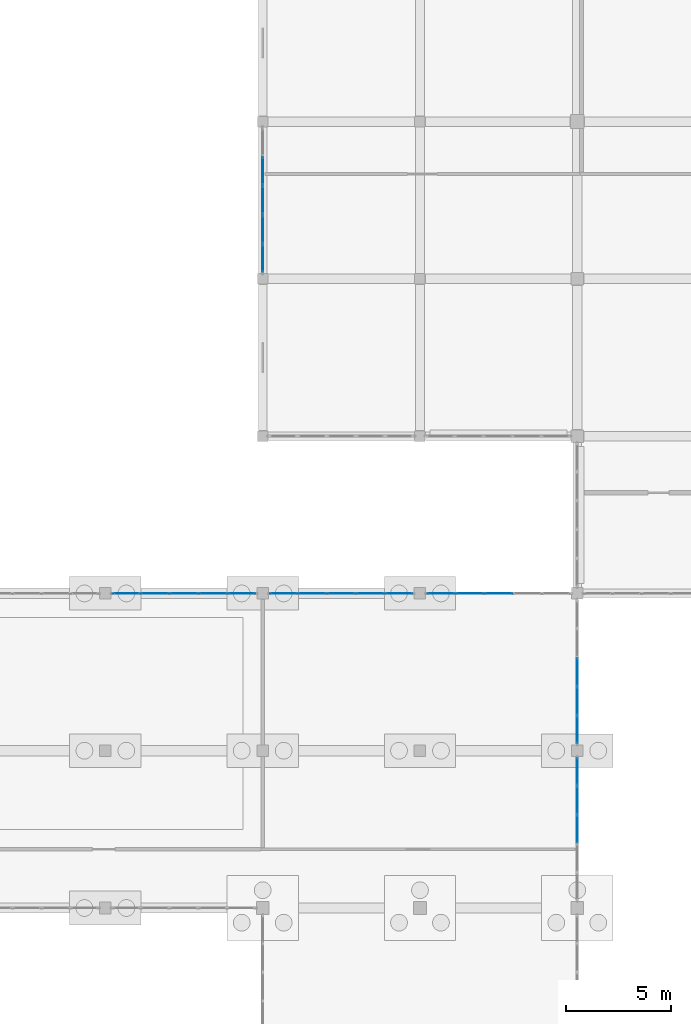
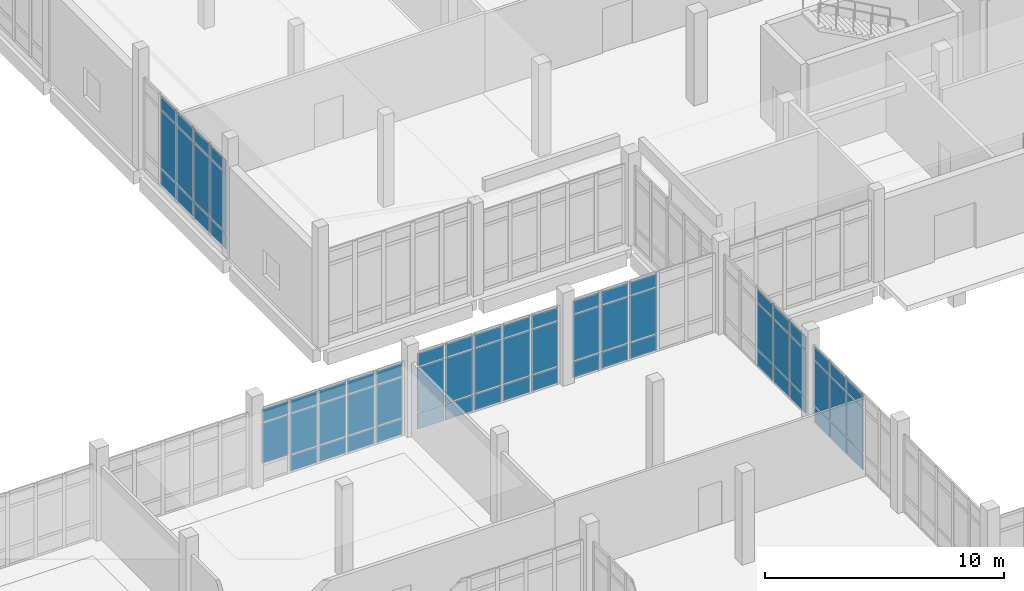
# One storey, part 134 of 173: 68 plates, 6 elements without a shape of their own.
"""IFC4 building model written with IfcOpenShell, lengths in metres."""

import ifcopenshell
import ifcopenshell.guid

model = None  # the IFC model being written
_history = None  # IfcOwnerHistory: only IFC2X3 demands one
_inside = {}  # id of a spatial element -> (the spatial element, [elements in it])
_under = {}  # id of a project, library or spatial element -> (it, [spatial elements below it])
_declared = {}  # id of a project -> (the project, [libraries it declares])
_typed = {}  # id of a type object -> (the type object, [elements of that type])
_made_of = {}  # id of a material, layer set ... -> (it, [elements and type objects made of it])


def new_model(schema):
    """Start an empty IFC model of exactly this schema.

    Asked for "IFC4X3", IfcOpenShell would pick the latest addendum, in which some entities
    have other attributes; the version numbers below select the first issue.
    IFC2X3 requires an IfcOwnerHistory on every rooted entity: one is made here for all.
    """
    global model, _history
    if schema == "IFC4X3":
        model = ifcopenshell.file(schema_version=(4, 3, 0, 0))
    else:
        model = ifcopenshell.file(schema=schema)
    _inside.clear()
    _under.clear()
    _declared.clear()
    _typed.clear()
    _made_of.clear()
    _history = None
    if model.schema == "IFC2X3":
        org = make("IfcOrganization", Name="unknown")
        user = make(
            "IfcPersonAndOrganization",
            ThePerson=make("IfcPerson", FamilyName="unknown"),
            TheOrganization=org,
        )
        app = make(
            "IfcApplication",
            ApplicationDeveloper=org,
            Version="unknown",
            ApplicationFullName="unknown",
            ApplicationIdentifier="unknown",
        )
        _history = make(
            "IfcOwnerHistory",
            OwningUser=user,
            OwningApplication=app,
            ChangeAction="ADDED",
            CreationDate=0,
        )
    return model


def make(cls, **values):
    """One entity of the class cls with the attributes given. An attribute that is None is left unset."""
    return model.create_entity(
        cls, **{name: value for name, value in values.items() if value is not None}
    )


def rooted(cls, **values):
    """An entity with a GlobalId (a new one), such as an element, a storey or a relation."""
    return make(cls, GlobalId=ifcopenshell.guid.new(), OwnerHistory=_history, **values)


def si_unit(unit_type, name, prefix=None):
    """IfcSIUnit, for example si_unit("LENGTHUNIT", "METRE", prefix="MILLI")."""
    return make("IfcSIUnit", UnitType=unit_type, Prefix=prefix, Name=name)


def assignment(units):
    """IfcUnitAssignment: the units of a project."""
    return None if units is None else make("IfcUnitAssignment", Units=units)


def point(xyz):
    """IfcCartesianPoint."""
    return None if xyz is None else make("IfcCartesianPoint", Coordinates=xyz)


def direction(xyz):
    """IfcDirection."""
    return None if xyz is None else make("IfcDirection", DirectionRatios=xyz)


def frame(location, z_axis=None, x_axis=None):
    """IfcAxis2Placement3D, a coordinate frame: its origin and axes. An axis left out is left unset."""
    return make(
        "IfcAxis2Placement3D",
        Location=point(location),
        Axis=direction(z_axis),
        RefDirection=direction(x_axis),
    )


def frame_2d(location, x_axis=None):
    """IfcAxis2Placement2D, a coordinate frame in the plane: its origin and x axis."""
    return make(
        "IfcAxis2Placement2D", Location=point(location), RefDirection=direction(x_axis)
    )


def origin():
    """The frame at (0, 0, 0) with its axes left unset."""
    return frame((0.0, 0.0, 0.0))


def origin_2d():
    """The frame at (0, 0) in the plane with its x axis left unset."""
    return frame_2d((0.0, 0.0))


def place(relative_to, where):
    """IfcLocalPlacement: puts the frame where relative to a parent placement (None: the world)."""
    return make(
        "IfcLocalPlacement", PlacementRelTo=relative_to, RelativePlacement=where
    )


def context(
    kind, dimensions, precision=None, world=None, true_north=None, identifier=None
):
    """IfcGeometricRepresentationContext, for example the 3D "Model" context."""
    return make(
        "IfcGeometricRepresentationContext",
        ContextIdentifier=identifier,
        ContextType=kind,
        CoordinateSpaceDimension=dimensions,
        Precision=precision,
        WorldCoordinateSystem=world,
        TrueNorth=true_north,
    )


def subcontext(parent, identifier, kind, view, scale=None):
    """IfcGeometricRepresentationSubContext, for example "Body" below "Model"."""
    return make(
        "IfcGeometricRepresentationSubContext",
        ContextIdentifier=identifier,
        ContextType=kind,
        ParentContext=parent,
        TargetScale=scale,
        TargetView=view,
    )


def project(units=None, contexts=None):
    """IfcProject with its units and contexts."""
    return rooted(
        "IfcProject",
        Name="project",
        RepresentationContexts=contexts,
        UnitsInContext=assignment(units),
    )


def spatial(cls, under=None, at=None, **own):
    """A site, building, storey or space (cls), placed at a placement, below another one or the project."""
    s = rooted(cls, ObjectPlacement=at, **own)
    if under is not None:
        _under.setdefault(under.id(), (under, []))[1].append(s)
    return s


def profile(cls, at=None, kind="AREA", **sizes):
    """A parametric profile (cls). Its sizes go by their IFC names, for example OverallWidth=200.0."""
    return make(cls, ProfileType=kind, Position=at, **sizes)


def rectangle(**sizes):
    """IfcRectangleProfileDef."""
    return profile("IfcRectangleProfileDef", **sizes)


def extrude(swept, where, along, depth):
    """IfcExtrudedAreaSolid: the profile swept, set in the frame where, extruded along a direction by depth."""
    return make(
        "IfcExtrudedAreaSolid",
        SweptArea=swept,
        Position=where,
        ExtrudedDirection=direction(along),
        Depth=depth,
    )


def shape(context_of_items, identifier, shape_type, items):
    """IfcShapeRepresentation: the items that make up one representation, for example the "Body"."""
    return make(
        "IfcShapeRepresentation",
        ContextOfItems=context_of_items,
        RepresentationIdentifier=identifier,
        RepresentationType=shape_type,
        Items=items,
    )


def material(Name=None, Category=None):
    """IfcMaterial."""
    return make("IfcMaterial", Name=Name, Category=Category)


def layer(
    of_material, thickness, ventilated=None, Name=None, Category=None, Priority=None
):
    """IfcMaterialLayer: one layer of a wall or slab, of a material (None: an air gap)."""
    return make(
        "IfcMaterialLayer",
        Material=of_material,
        LayerThickness=thickness,
        IsVentilated=ventilated,
        Name=Name,
        Category=Category,
        Priority=Priority,
    )


def layer_set(layers, Name=None):
    """IfcMaterialLayerSet."""
    return make("IfcMaterialLayerSet", MaterialLayers=layers, LayerSetName=Name)


def made_of(thing, what):
    """Note that an element or type object is made of a material, layer set ...; save() writes the relation."""
    if what is not None:
        _made_of.setdefault(what.id(), (what, []))[1].append(thing)
    return thing


def type_object(cls, material=None, **own):
    """A type object (cls), such as IfcWallType, which elements share."""
    return made_of(rooted(cls, **own), material)


def element(
    cls,
    number,
    at=None,
    inside=None,
    cuts=None,
    type_object=None,
    material=None,
    context=None,
    identifier="Body",
    shape_type=None,
    held_by="IfcProductDefinitionShape",
    body=None,
    shapes=None,
    **own,
):
    """One element of the class cls, such as IfcWall. Its Tag is "e" and its number.

    at: its placement. inside: the storey or other place that contains it. cuts: it is an
    opening in that element (IfcRelVoidsElement). A single representation is given by context,
    identifier, shape_type and body (its items); several are given by shapes. held_by: the class
    of the entity that holds the representations. save() writes the other relations.
    """
    e = rooted(cls, Tag="e%d" % number, ObjectPlacement=at, **own)
    if body is not None:
        shapes = [shape(context, identifier, shape_type, body)]
    if shapes is not None:
        e.Representation = make(held_by, Representations=shapes)
    if inside is not None:
        _inside.setdefault(inside.id(), (inside, []))[1].append(e)
    if cuts is not None:
        rooted(
            "IfcRelVoidsElement", RelatingBuildingElement=cuts, RelatedOpeningElement=e
        )
    if type_object is not None:
        _typed.setdefault(type_object.id(), (type_object, []))[1].append(e)
    return made_of(e, material)


def aggregate(whole, parts):
    """IfcRelAggregates: a whole, such as a stair, and the parts it consists of."""
    return rooted("IfcRelAggregates", RelatingObject=whole, RelatedObjects=parts)


def save(model, path):
    """Write the relations noted so far, then the file.

    IfcRelAggregates (storeys below a building ...), IfcRelContainedInSpatialStructure (elements
    in a storey), IfcRelDefinesByType, IfcRelAssociatesMaterial and IfcRelDeclares: one each for
    every whole, place, type object, material and project.
    """
    for whole, parts in _under.values():
        aggregate(whole, parts)
    for where, things in _inside.values():
        rooted(
            "IfcRelContainedInSpatialStructure",
            RelatedElements=things,
            RelatingStructure=where,
        )
    for kind, things in _typed.values():
        rooted("IfcRelDefinesByType", RelatedObjects=things, RelatingType=kind)
    for what, things in _made_of.values():
        rooted("IfcRelAssociatesMaterial", RelatedObjects=things, RelatingMaterial=what)
    for by, libraries in _declared.values():
        rooted("IfcRelDeclares", RelatingContext=by, RelatedDefinitions=libraries)
    model.write(path)


model = new_model("IFC4")

# Units and contexts
model_context = context("Model", 3, precision=1e-05, world=origin(), true_north=direction((0.0, 1.0)))
body_context = subcontext(model_context, "Body", "Model", "MODEL_VIEW")
ifc_project = project(units=[si_unit("LENGTHUNIT", "METRE"), si_unit("AREAUNIT", "SQUARE_METRE"), si_unit("VOLUMEUNIT", "CUBIC_METRE"), si_unit("PLANEANGLEUNIT", "RADIAN"), si_unit("MASSUNIT", "GRAM", prefix="KILO")], contexts=[model_context])

# Site, building, storey
site_placement = place(None, origin())
site = spatial("IfcSite", under=ifc_project, at=site_placement, CompositionType="ELEMENT")
building_placement = place(site_placement, origin())
building = spatial("IfcBuilding", under=site, at=building_placement, Name="Mawjan Specialist Oncology Clinic", CompositionType="ELEMENT")
storey_placement = place(building_placement, origin())
storey = spatial("IfcBuildingStorey", under=building, at=storey_placement, Name="L00", CompositionType="ELEMENT", Elevation=0.0)

# Curtain wall, plates
ifc_material_1 = material(Name="Unitised spectrally selective aluminium curtain wall", Category="aluminium")
ifc_layer_1 = layer(ifc_material_1, 0.179931640625, Name="Unitised spectrally selective aluminium curtain wall", Category="aluminium")
ifc_layer_set_1 = layer_set([ifc_layer_1], Name="Unitised spectrally selective aluminium curtain wall")
curtain_wall_type_1 = type_object("IfcCurtainWallType", Name="CW-07", PredefinedType="NOTDEFINED", material=ifc_layer_set_1)
curtain_wall_1_placement = place(storey_placement, origin())
curtain_wall_1 = element("IfcCurtainWall", 1, at=curtain_wall_1_placement, inside=storey, type_object=curtain_wall_type_1, Name="L00 Unitised Curtain Wall CW-L00-012", PredefinedType="NOTDEFINED")
ifc_material_2 = material(Name="Spectrally selective double low-E glazing", Category="glass")
ifc_layer_2 = layer(ifc_material_2, 0.035888671875, Name="Spectrally selective double low-E glazing", Category="glass")
ifc_layer_set_2 = layer_set([ifc_layer_2], Name="Spectrally selective double low-E glazing")
plate_type = type_object("IfcPlateType", Name="CW-P36", PredefinedType="CURTAIN_PANEL", material=ifc_layer_set_2)
plate_1_placement = place(storey_placement, frame((23.502197265625, 75.800048828125, 0.9326171875), z_axis=(0.0, 0.0, 1.0), x_axis=(1.0, 0.0, 0.0)))
plate_1 = element("IfcPlate", 2, at=plate_1_placement, type_object=plate_type, Name="CW-07 panel 1.2", PredefinedType="CURTAIN_PANEL", context=body_context, shape_type="SweptSolid", body=[
    extrude(rectangle(XDim=1.284423828125, YDim=0.035888671875, at=origin_2d()), origin(), (0.0, 0.0, 1.0), 2.050048828125),
])
plate_2_placement = place(storey_placement, frame((23.502197265625, 75.800048828125, 3.04736328125), z_axis=(0.0, 0.0, 1.0), x_axis=(1.0, 0.0, 0.0)))
plate_2 = element("IfcPlate", 3, at=plate_2_placement, type_object=plate_type, Name="CW-07 panel 1.3", PredefinedType="CURTAIN_PANEL", context=body_context, shape_type="SweptSolid", body=[
    extrude(rectangle(XDim=1.284423828125, YDim=0.035888671875, at=origin_2d()), origin(), (0.0, 0.0, 1.0), 0.652587890625),
])
plate_3_placement = place(storey_placement, frame((24.867919921875, 75.800048828125, 0.06494140625), z_axis=(0.0, 0.0, 1.0), x_axis=(1.0, 0.0, 0.0)))
plate_3 = element("IfcPlate", 4, at=plate_3_placement, type_object=plate_type, Name="CW-07 panel 2.1", PredefinedType="CURTAIN_PANEL", context=body_context, shape_type="SweptSolid", body=[
    extrude(rectangle(XDim=1.31689453125, YDim=0.035888671875, at=origin_2d()), origin(), (0.0, 0.0, 1.0), 0.802490234375),
])
plate_4_placement = place(storey_placement, frame((24.867919921875, 75.800048828125, 0.9326171875), z_axis=(0.0, 0.0, 1.0), x_axis=(1.0, 0.0, 0.0)))
plate_4 = element("IfcPlate", 5, at=plate_4_placement, type_object=plate_type, Name="CW-07 panel 2.2", PredefinedType="CURTAIN_PANEL", context=body_context, shape_type="SweptSolid", body=[
    extrude(rectangle(XDim=1.31689453125, YDim=0.035888671875, at=origin_2d()), origin(), (0.0, 0.0, 1.0), 2.050048828125),
])
plate_5_placement = place(storey_placement, frame((24.867919921875, 75.800048828125, 3.04736328125), z_axis=(0.0, 0.0, 1.0), x_axis=(1.0, 0.0, 0.0)))
plate_5 = element("IfcPlate", 6, at=plate_5_placement, type_object=plate_type, Name="CW-07 panel 2.3", PredefinedType="CURTAIN_PANEL", context=body_context, shape_type="SweptSolid", body=[
    extrude(rectangle(XDim=1.31689453125, YDim=0.035888671875, at=origin_2d()), origin(), (0.0, 0.0, 1.0), 0.652587890625),
])
plate_6_placement = place(storey_placement, frame((26.25, 75.800048828125, 0.06494140625), z_axis=(0.0, 0.0, 1.0), x_axis=(1.0, 0.0, 0.0)))
plate_6 = element("IfcPlate", 7, at=plate_6_placement, type_object=plate_type, Name="CW-07 panel 3.1", PredefinedType="CURTAIN_PANEL", context=body_context, shape_type="SweptSolid", body=[
    extrude(rectangle(XDim=1.31689453125, YDim=0.035888671875, at=origin_2d()), origin(), (0.0, 0.0, 1.0), 0.802490234375),
])
plate_7_placement = place(storey_placement, frame((26.25, 75.800048828125, 0.9326171875), z_axis=(0.0, 0.0, 1.0), x_axis=(1.0, 0.0, 0.0)))
plate_7 = element("IfcPlate", 8, at=plate_7_placement, type_object=plate_type, Name="CW-07 panel 3.2", PredefinedType="CURTAIN_PANEL", context=body_context, shape_type="SweptSolid", body=[
    extrude(rectangle(XDim=1.31689453125, YDim=0.035888671875, at=origin_2d()), origin(), (0.0, 0.0, 1.0), 2.050048828125),
])
plate_8_placement = place(storey_placement, frame((26.25, 75.800048828125, 3.04736328125), z_axis=(0.0, 0.0, 1.0), x_axis=(1.0, 0.0, 0.0)))
plate_8 = element("IfcPlate", 9, at=plate_8_placement, type_object=plate_type, Name="CW-07 panel 3.3", PredefinedType="CURTAIN_PANEL", context=body_context, shape_type="SweptSolid", body=[
    extrude(rectangle(XDim=1.31689453125, YDim=0.035888671875, at=origin_2d()), origin(), (0.0, 0.0, 1.0), 0.652587890625),
])
plate_9_placement = place(storey_placement, frame((27.632080078125, 75.800048828125, 0.06494140625), z_axis=(0.0, 0.0, 1.0), x_axis=(1.0, 0.0, 0.0)))
plate_9 = element("IfcPlate", 10, at=plate_9_placement, type_object=plate_type, Name="CW-07 panel 4.1", PredefinedType="CURTAIN_PANEL", context=body_context, shape_type="SweptSolid", body=[
    extrude(rectangle(XDim=1.31689453125, YDim=0.035888671875, at=origin_2d()), origin(), (0.0, 0.0, 1.0), 0.802490234375),
])
plate_10_placement = place(storey_placement, frame((27.632080078125, 75.800048828125, 0.9326171875), z_axis=(0.0, 0.0, 1.0), x_axis=(1.0, 0.0, 0.0)))
plate_10 = element("IfcPlate", 11, at=plate_10_placement, type_object=plate_type, Name="CW-07 panel 4.2", PredefinedType="CURTAIN_PANEL", context=body_context, shape_type="SweptSolid", body=[
    extrude(rectangle(XDim=1.31689453125, YDim=0.035888671875, at=origin_2d()), origin(), (0.0, 0.0, 1.0), 2.050048828125),
])
plate_11_placement = place(storey_placement, frame((27.632080078125, 75.800048828125, 3.04736328125), z_axis=(0.0, 0.0, 1.0), x_axis=(1.0, 0.0, 0.0)))
plate_11 = element("IfcPlate", 12, at=plate_11_placement, type_object=plate_type, Name="CW-07 panel 4.3", PredefinedType="CURTAIN_PANEL", context=body_context, shape_type="SweptSolid", body=[
    extrude(rectangle(XDim=1.31689453125, YDim=0.035888671875, at=origin_2d()), origin(), (0.0, 0.0, 1.0), 0.652587890625),
])
plate_12_placement = place(storey_placement, frame((28.997802734375, 75.800048828125, 0.06494140625), z_axis=(0.0, 0.0, 1.0), x_axis=(1.0, 0.0, 0.0)))
plate_12 = element("IfcPlate", 13, at=plate_12_placement, type_object=plate_type, Name="CW-07 panel 5.1", PredefinedType="CURTAIN_PANEL", context=body_context, shape_type="SweptSolid", body=[
    extrude(rectangle(XDim=1.284423828125, YDim=0.035888671875, at=origin_2d()), origin(), (0.0, 0.0, 1.0), 0.802490234375),
])
plate_13_placement = place(storey_placement, frame((28.997802734375, 75.800048828125, 0.9326171875), z_axis=(0.0, 0.0, 1.0), x_axis=(1.0, 0.0, 0.0)))
plate_13 = element("IfcPlate", 14, at=plate_13_placement, type_object=plate_type, Name="CW-07 panel 5.2", PredefinedType="CURTAIN_PANEL", context=body_context, shape_type="SweptSolid", body=[
    extrude(rectangle(XDim=1.284423828125, YDim=0.035888671875, at=origin_2d()), origin(), (0.0, 0.0, 1.0), 2.050048828125),
])
plate_14_placement = place(storey_placement, frame((28.997802734375, 75.800048828125, 3.04736328125), z_axis=(0.0, 0.0, 1.0), x_axis=(1.0, 0.0, 0.0)))
plate_14 = element("IfcPlate", 15, at=plate_14_placement, type_object=plate_type, Name="CW-07 panel 5.3", PredefinedType="CURTAIN_PANEL", context=body_context, shape_type="SweptSolid", body=[
    extrude(rectangle(XDim=1.284423828125, YDim=0.035888671875, at=origin_2d()), origin(), (0.0, 0.0, 1.0), 0.652587890625),
])
aggregate(curtain_wall_1, [plate_1, plate_2, plate_3, plate_4, plate_5, plate_6, plate_7, plate_8, plate_9, plate_10, plate_11, plate_12, plate_13, plate_14])

ifc_material_3 = material(Name="Unitised spectrally selective aluminium curtain wall", Category="aluminium")
ifc_layer_3 = layer(ifc_material_3, 0.179931640625, Name="Unitised spectrally selective aluminium curtain wall", Category="aluminium")
ifc_layer_set_3 = layer_set([ifc_layer_3], Name="Unitised spectrally selective aluminium curtain wall")
curtain_wall_type_2 = type_object("IfcCurtainWallType", Name="CW-08", PredefinedType="NOTDEFINED", material=ifc_layer_set_3)
curtain_wall_2_placement = place(storey_placement, origin())
curtain_wall_2 = element("IfcCurtainWall", 16, at=curtain_wall_2_placement, inside=storey, type_object=curtain_wall_type_2, Name="L00 Unitised Curtain Wall CW-L00-013", PredefinedType="NOTDEFINED")
plate_15_placement = place(storey_placement, frame((31.002197265625, 75.800048828125, 0.06494140625), z_axis=(0.0, 0.0, 1.0), x_axis=(1.0, 0.0, 0.0)))
plate_15 = element("IfcPlate", 17, at=plate_15_placement, type_object=plate_type, Name="CW-08 panel 1.1", PredefinedType="CURTAIN_PANEL", context=body_context, shape_type="SweptSolid", body=[
    extrude(rectangle(XDim=1.284423828125, YDim=0.035888671875, at=origin_2d()), origin(), (0.0, 0.0, 1.0), 0.802490234375),
])
plate_16_placement = place(storey_placement, frame((31.002197265625, 75.800048828125, 0.932373046875), z_axis=(0.0, 0.0, 1.0), x_axis=(1.0, 0.0, 0.0)))
plate_16 = element("IfcPlate", 18, at=plate_16_placement, type_object=plate_type, Name="CW-08 panel 1.2", PredefinedType="CURTAIN_PANEL", context=body_context, shape_type="SweptSolid", body=[
    extrude(rectangle(XDim=1.284423828125, YDim=0.035888671875, at=origin_2d()), origin(), (0.0, 0.0, 1.0), 2.27001953125),
])
plate_17_placement = place(storey_placement, frame((31.002197265625, 75.800048828125, 3.267578125), z_axis=(0.0, 0.0, 1.0), x_axis=(1.0, 0.0, 0.0)))
plate_17 = element("IfcPlate", 19, at=plate_17_placement, type_object=plate_type, Name="CW-08 panel 1.3", PredefinedType="CURTAIN_PANEL", context=body_context, shape_type="SweptSolid", body=[
    extrude(rectangle(XDim=1.284423828125, YDim=0.035888671875, at=origin_2d()), origin(), (0.0, 0.0, 1.0), 0.652587890625),
])
plate_18_placement = place(storey_placement, frame((32.367919921875, 75.800048828125, 0.06494140625), z_axis=(0.0, 0.0, 1.0), x_axis=(1.0, 0.0, 0.0)))
plate_18 = element("IfcPlate", 20, at=plate_18_placement, type_object=plate_type, Name="CW-08 panel 2.1", PredefinedType="CURTAIN_PANEL", context=body_context, shape_type="SweptSolid", body=[
    extrude(rectangle(XDim=1.31689453125, YDim=0.035888671875, at=origin_2d()), origin(), (0.0, 0.0, 1.0), 0.802490234375),
])
plate_19_placement = place(storey_placement, frame((32.367919921875, 75.800048828125, 0.932373046875), z_axis=(0.0, 0.0, 1.0), x_axis=(1.0, 0.0, 0.0)))
plate_19 = element("IfcPlate", 21, at=plate_19_placement, type_object=plate_type, Name="CW-08 panel 2.2", PredefinedType="CURTAIN_PANEL", context=body_context, shape_type="SweptSolid", body=[
    extrude(rectangle(XDim=1.31689453125, YDim=0.035888671875, at=origin_2d()), origin(), (0.0, 0.0, 1.0), 2.27001953125),
])
plate_20_placement = place(storey_placement, frame((32.367919921875, 75.800048828125, 3.267578125), z_axis=(0.0, 0.0, 1.0), x_axis=(1.0, 0.0, 0.0)))
plate_20 = element("IfcPlate", 22, at=plate_20_placement, type_object=plate_type, Name="CW-08 panel 2.3", PredefinedType="CURTAIN_PANEL", context=body_context, shape_type="SweptSolid", body=[
    extrude(rectangle(XDim=1.31689453125, YDim=0.035888671875, at=origin_2d()), origin(), (0.0, 0.0, 1.0), 0.652587890625),
])
plate_21_placement = place(storey_placement, frame((33.75, 75.800048828125, 0.06494140625), z_axis=(0.0, 0.0, 1.0), x_axis=(1.0, 0.0, 0.0)))
plate_21 = element("IfcPlate", 23, at=plate_21_placement, type_object=plate_type, Name="CW-08 panel 3.1", PredefinedType="CURTAIN_PANEL", context=body_context, shape_type="SweptSolid", body=[
    extrude(rectangle(XDim=1.31689453125, YDim=0.035888671875, at=origin_2d()), origin(), (0.0, 0.0, 1.0), 0.802490234375),
])
plate_22_placement = place(storey_placement, frame((33.75, 75.800048828125, 0.932373046875), z_axis=(0.0, 0.0, 1.0), x_axis=(1.0, 0.0, 0.0)))
plate_22 = element("IfcPlate", 24, at=plate_22_placement, type_object=plate_type, Name="CW-08 panel 3.2", PredefinedType="CURTAIN_PANEL", context=body_context, shape_type="SweptSolid", body=[
    extrude(rectangle(XDim=1.31689453125, YDim=0.035888671875, at=origin_2d()), origin(), (0.0, 0.0, 1.0), 2.27001953125),
])
plate_23_placement = place(storey_placement, frame((33.75, 75.800048828125, 3.267578125), z_axis=(0.0, 0.0, 1.0), x_axis=(1.0, 0.0, 0.0)))
plate_23 = element("IfcPlate", 25, at=plate_23_placement, type_object=plate_type, Name="CW-08 panel 3.3", PredefinedType="CURTAIN_PANEL", context=body_context, shape_type="SweptSolid", body=[
    extrude(rectangle(XDim=1.31689453125, YDim=0.035888671875, at=origin_2d()), origin(), (0.0, 0.0, 1.0), 0.652587890625),
])
plate_24_placement = place(storey_placement, frame((35.132080078125, 75.800048828125, 0.06494140625), z_axis=(0.0, 0.0, 1.0), x_axis=(1.0, 0.0, 0.0)))
plate_24 = element("IfcPlate", 26, at=plate_24_placement, type_object=plate_type, Name="CW-08 panel 4.1", PredefinedType="CURTAIN_PANEL", context=body_context, shape_type="SweptSolid", body=[
    extrude(rectangle(XDim=1.31689453125, YDim=0.035888671875, at=origin_2d()), origin(), (0.0, 0.0, 1.0), 0.802490234375),
])
plate_25_placement = place(storey_placement, frame((35.132080078125, 75.800048828125, 0.932373046875), z_axis=(0.0, 0.0, 1.0), x_axis=(1.0, 0.0, 0.0)))
plate_25 = element("IfcPlate", 27, at=plate_25_placement, type_object=plate_type, Name="CW-08 panel 4.2", PredefinedType="CURTAIN_PANEL", context=body_context, shape_type="SweptSolid", body=[
    extrude(rectangle(XDim=1.31689453125, YDim=0.035888671875, at=origin_2d()), origin(), (0.0, 0.0, 1.0), 2.27001953125),
])
plate_26_placement = place(storey_placement, frame((35.132080078125, 75.800048828125, 3.267578125), z_axis=(0.0, 0.0, 1.0), x_axis=(1.0, 0.0, 0.0)))
plate_26 = element("IfcPlate", 28, at=plate_26_placement, type_object=plate_type, Name="CW-08 panel 4.3", PredefinedType="CURTAIN_PANEL", context=body_context, shape_type="SweptSolid", body=[
    extrude(rectangle(XDim=1.31689453125, YDim=0.035888671875, at=origin_2d()), origin(), (0.0, 0.0, 1.0), 0.652587890625),
])
plate_27_placement = place(storey_placement, frame((36.497802734375, 75.800048828125, 0.06494140625), z_axis=(0.0, 0.0, 1.0), x_axis=(1.0, 0.0, 0.0)))
plate_27 = element("IfcPlate", 29, at=plate_27_placement, type_object=plate_type, Name="CW-08 panel 5.1", PredefinedType="CURTAIN_PANEL", context=body_context, shape_type="SweptSolid", body=[
    extrude(rectangle(XDim=1.284423828125, YDim=0.035888671875, at=origin_2d()), origin(), (0.0, 0.0, 1.0), 0.802490234375),
])
plate_28_placement = place(storey_placement, frame((36.497802734375, 75.800048828125, 0.932373046875), z_axis=(0.0, 0.0, 1.0), x_axis=(1.0, 0.0, 0.0)))
plate_28 = element("IfcPlate", 30, at=plate_28_placement, type_object=plate_type, Name="CW-08 panel 5.2", PredefinedType="CURTAIN_PANEL", context=body_context, shape_type="SweptSolid", body=[
    extrude(rectangle(XDim=1.284423828125, YDim=0.035888671875, at=origin_2d()), origin(), (0.0, 0.0, 1.0), 2.27001953125),
])
plate_29_placement = place(storey_placement, frame((36.497802734375, 75.800048828125, 3.267578125), z_axis=(0.0, 0.0, 1.0), x_axis=(1.0, 0.0, 0.0)))
plate_29 = element("IfcPlate", 31, at=plate_29_placement, type_object=plate_type, Name="CW-08 panel 5.3", PredefinedType="CURTAIN_PANEL", context=body_context, shape_type="SweptSolid", body=[
    extrude(rectangle(XDim=1.284423828125, YDim=0.035888671875, at=origin_2d()), origin(), (0.0, 0.0, 1.0), 0.652587890625),
])
aggregate(curtain_wall_2, [plate_15, plate_16, plate_17, plate_18, plate_19, plate_20, plate_21, plate_22, plate_23, plate_24, plate_25, plate_26, plate_27, plate_28, plate_29])

ifc_material_4 = material(Name="Unitised spectrally selective aluminium curtain wall", Category="aluminium")
ifc_layer_4 = layer(ifc_material_4, 0.179931640625, Name="Unitised spectrally selective aluminium curtain wall", Category="aluminium")
ifc_layer_set_4 = layer_set([ifc_layer_4], Name="Unitised spectrally selective aluminium curtain wall")
curtain_wall_type_3 = type_object("IfcCurtainWallType", Name="CW-09", PredefinedType="NOTDEFINED", material=ifc_layer_set_4)
curtain_wall_3_placement = place(storey_placement, origin())
curtain_wall_3 = element("IfcCurtainWall", 32, at=curtain_wall_3_placement, inside=storey, type_object=curtain_wall_type_3, Name="L00 Unitised Curtain Wall CW-L00-014", PredefinedType="NOTDEFINED")
plate_30_placement = place(storey_placement, frame((38.502197265625, 75.800048828125, 0.06494140625), z_axis=(0.0, 0.0, 1.0), x_axis=(1.0, 0.0, 0.0)))
plate_30 = element("IfcPlate", 33, at=plate_30_placement, type_object=plate_type, Name="CW-09 panel 1.1", PredefinedType="CURTAIN_PANEL", context=body_context, shape_type="SweptSolid", body=[
    extrude(rectangle(XDim=1.284423828125, YDim=0.035888671875, at=origin_2d()), origin(), (0.0, 0.0, 1.0), 0.802490234375),
])
plate_31_placement = place(storey_placement, frame((38.502197265625, 75.800048828125, 0.9326171875), z_axis=(0.0, 0.0, 1.0), x_axis=(1.0, 0.0, 0.0)))
plate_31 = element("IfcPlate", 34, at=plate_31_placement, type_object=plate_type, Name="CW-09 panel 1.2", PredefinedType="CURTAIN_PANEL", context=body_context, shape_type="SweptSolid", body=[
    extrude(rectangle(XDim=1.284423828125, YDim=0.035888671875, at=origin_2d()), origin(), (0.0, 0.0, 1.0), 2.320068359375),
])
plate_32_placement = place(storey_placement, frame((38.502197265625, 75.800048828125, 3.3173828125), z_axis=(0.0, 0.0, 1.0), x_axis=(1.0, 0.0, 0.0)))
plate_32 = element("IfcPlate", 35, at=plate_32_placement, type_object=plate_type, Name="CW-09 panel 1.3", PredefinedType="CURTAIN_PANEL", context=body_context, shape_type="SweptSolid", body=[
    extrude(rectangle(XDim=1.284423828125, YDim=0.035888671875, at=origin_2d()), origin(), (0.0, 0.0, 1.0), 0.652587890625),
])
plate_33_placement = place(storey_placement, frame((39.867919921875, 75.800048828125, 0.06494140625), z_axis=(0.0, 0.0, 1.0), x_axis=(1.0, 0.0, 0.0)))
plate_33 = element("IfcPlate", 36, at=plate_33_placement, type_object=plate_type, Name="CW-09 panel 2.1", PredefinedType="CURTAIN_PANEL", context=body_context, shape_type="SweptSolid", body=[
    extrude(rectangle(XDim=1.31689453125, YDim=0.035888671875, at=origin_2d()), origin(), (0.0, 0.0, 1.0), 0.802490234375),
])
plate_34_placement = place(storey_placement, frame((39.867919921875, 75.800048828125, 0.9326171875), z_axis=(0.0, 0.0, 1.0), x_axis=(1.0, 0.0, 0.0)))
plate_34 = element("IfcPlate", 37, at=plate_34_placement, type_object=plate_type, Name="CW-09 panel 2.2", PredefinedType="CURTAIN_PANEL", context=body_context, shape_type="SweptSolid", body=[
    extrude(rectangle(XDim=1.31689453125, YDim=0.035888671875, at=origin_2d()), origin(), (0.0, 0.0, 1.0), 2.320068359375),
])
plate_35_placement = place(storey_placement, frame((39.867919921875, 75.800048828125, 3.3173828125), z_axis=(0.0, 0.0, 1.0), x_axis=(1.0, 0.0, 0.0)))
plate_35 = element("IfcPlate", 38, at=plate_35_placement, type_object=plate_type, Name="CW-09 panel 2.3", PredefinedType="CURTAIN_PANEL", context=body_context, shape_type="SweptSolid", body=[
    extrude(rectangle(XDim=1.31689453125, YDim=0.035888671875, at=origin_2d()), origin(), (0.0, 0.0, 1.0), 0.652587890625),
])
plate_36_placement = place(storey_placement, frame((41.25, 75.800048828125, 0.06494140625), z_axis=(0.0, 0.0, 1.0), x_axis=(1.0, 0.0, 0.0)))
plate_36 = element("IfcPlate", 39, at=plate_36_placement, type_object=plate_type, Name="CW-09 panel 3.1", PredefinedType="CURTAIN_PANEL", context=body_context, shape_type="SweptSolid", body=[
    extrude(rectangle(XDim=1.31689453125, YDim=0.035888671875, at=origin_2d()), origin(), (0.0, 0.0, 1.0), 0.802490234375),
])
plate_37_placement = place(storey_placement, frame((41.25, 75.800048828125, 0.9326171875), z_axis=(0.0, 0.0, 1.0), x_axis=(1.0, 0.0, 0.0)))
plate_37 = element("IfcPlate", 40, at=plate_37_placement, type_object=plate_type, Name="CW-09 panel 3.2", PredefinedType="CURTAIN_PANEL", context=body_context, shape_type="SweptSolid", body=[
    extrude(rectangle(XDim=1.31689453125, YDim=0.035888671875, at=origin_2d()), origin(), (0.0, 0.0, 1.0), 2.320068359375),
])
plate_38_placement = place(storey_placement, frame((41.25, 75.800048828125, 3.3173828125), z_axis=(0.0, 0.0, 1.0), x_axis=(1.0, 0.0, 0.0)))
plate_38 = element("IfcPlate", 41, at=plate_38_placement, type_object=plate_type, Name="CW-09 panel 3.3", PredefinedType="CURTAIN_PANEL", context=body_context, shape_type="SweptSolid", body=[
    extrude(rectangle(XDim=1.31689453125, YDim=0.035888671875, at=origin_2d()), origin(), (0.0, 0.0, 1.0), 0.652587890625),
])
aggregate(curtain_wall_3, [plate_30, plate_31, plate_32, plate_33, plate_34, plate_35, plate_36, plate_37, plate_38])

ifc_material_5 = material(Name="Unitised spectrally selective aluminium curtain wall", Category="aluminium")
ifc_layer_5 = layer(ifc_material_5, 0.179931640625, Name="Unitised spectrally selective aluminium curtain wall", Category="aluminium")
ifc_layer_set_5 = layer_set([ifc_layer_5], Name="Unitised spectrally selective aluminium curtain wall")
curtain_wall_type_4 = type_object("IfcCurtainWallType", Name="CW-11", PredefinedType="NOTDEFINED", material=ifc_layer_set_5)
curtain_wall_4_placement = place(storey_placement, origin())
curtain_wall_4 = element("IfcCurtainWall", 42, at=curtain_wall_4_placement, inside=storey, type_object=curtain_wall_type_4, Name="L00 Unitised Curtain Wall CW-L00-018", PredefinedType="NOTDEFINED")
plate_39_placement = place(storey_placement, frame((30.0, 91.783447265625, 0.070068359375), z_axis=(0.0, 0.0, 1.0), x_axis=(0.0, 1.0, 0.0)))
plate_39 = element("IfcPlate", 43, at=plate_39_placement, type_object=plate_type, Name="CW-11 panel 1.1", PredefinedType="CURTAIN_PANEL", context=body_context, shape_type="SweptSolid", body=[
    extrude(rectangle(XDim=1.287109375, YDim=0.035888671875, at=origin_2d()), origin(), (0.0, 0.0, 1.0), 0.794921875),
])
plate_40_placement = place(storey_placement, frame((30.0, 91.783447265625, 0.93505859375), z_axis=(0.0, 0.0, 1.0), x_axis=(0.0, 1.0, 0.0)))
plate_40 = element("IfcPlate", 44, at=plate_40_placement, type_object=plate_type, Name="CW-11 panel 1.2", PredefinedType="CURTAIN_PANEL", context=body_context, shape_type="SweptSolid", body=[
    extrude(rectangle(XDim=1.287109375, YDim=0.035888671875, at=origin_2d()), origin(), (0.0, 0.0, 1.0), 2.949951171875),
])
plate_41_placement = place(storey_placement, frame((30.0, 91.783447265625, 3.955078125), z_axis=(0.0, 0.0, 1.0), x_axis=(0.0, 1.0, 0.0)))
plate_41 = element("IfcPlate", 45, at=plate_41_placement, type_object=plate_type, Name="CW-11 panel 1.3", PredefinedType="CURTAIN_PANEL", context=body_context, shape_type="SweptSolid", body=[
    extrude(rectangle(XDim=1.287109375, YDim=0.035888671875, at=origin_2d()), origin(), (0.0, 0.0, 1.0), 0.64501953125),
])
plate_42_placement = place(storey_placement, frame((30.0, 93.157958984375, 0.070068359375), z_axis=(0.0, 0.0, 1.0), x_axis=(0.0, 1.0, 0.0)))
plate_42 = element("IfcPlate", 46, at=plate_42_placement, type_object=plate_type, Name="CW-11 panel 2.1", PredefinedType="CURTAIN_PANEL", context=body_context, shape_type="SweptSolid", body=[
    extrude(rectangle(XDim=1.322021484375, YDim=0.035888671875, at=origin_2d()), origin(), (0.0, 0.0, 1.0), 0.794921875),
])
plate_43_placement = place(storey_placement, frame((30.0, 93.157958984375, 0.93505859375), z_axis=(0.0, 0.0, 1.0), x_axis=(0.0, 1.0, 0.0)))
plate_43 = element("IfcPlate", 47, at=plate_43_placement, type_object=plate_type, Name="CW-11 panel 2.2", PredefinedType="CURTAIN_PANEL", context=body_context, shape_type="SweptSolid", body=[
    extrude(rectangle(XDim=1.322021484375, YDim=0.035888671875, at=origin_2d()), origin(), (0.0, 0.0, 1.0), 2.949951171875),
])
plate_44_placement = place(storey_placement, frame((30.0, 93.157958984375, 3.955078125), z_axis=(0.0, 0.0, 1.0), x_axis=(0.0, 1.0, 0.0)))
plate_44 = element("IfcPlate", 48, at=plate_44_placement, type_object=plate_type, Name="CW-11 panel 2.3", PredefinedType="CURTAIN_PANEL", context=body_context, shape_type="SweptSolid", body=[
    extrude(rectangle(XDim=1.322021484375, YDim=0.035888671875, at=origin_2d()), origin(), (0.0, 0.0, 1.0), 0.64501953125),
])
plate_45_placement = place(storey_placement, frame((30.0, 94.550048828125, 0.070068359375), z_axis=(0.0, 0.0, 1.0), x_axis=(0.0, 1.0, 0.0)))
plate_45 = element("IfcPlate", 49, at=plate_45_placement, type_object=plate_type, Name="CW-11 panel 3.1", PredefinedType="CURTAIN_PANEL", context=body_context, shape_type="SweptSolid", body=[
    extrude(rectangle(XDim=1.322021484375, YDim=0.035888671875, at=origin_2d()), origin(), (0.0, 0.0, 1.0), 0.794921875),
])
plate_46_placement = place(storey_placement, frame((30.0, 94.550048828125, 0.93505859375), z_axis=(0.0, 0.0, 1.0), x_axis=(0.0, 1.0, 0.0)))
plate_46 = element("IfcPlate", 50, at=plate_46_placement, type_object=plate_type, Name="CW-11 panel 3.2", PredefinedType="CURTAIN_PANEL", context=body_context, shape_type="SweptSolid", body=[
    extrude(rectangle(XDim=1.322021484375, YDim=0.035888671875, at=origin_2d()), origin(), (0.0, 0.0, 1.0), 2.949951171875),
])
plate_47_placement = place(storey_placement, frame((30.0, 94.550048828125, 3.955078125), z_axis=(0.0, 0.0, 1.0), x_axis=(0.0, 1.0, 0.0)))
plate_47 = element("IfcPlate", 51, at=plate_47_placement, type_object=plate_type, Name="CW-11 panel 3.3", PredefinedType="CURTAIN_PANEL", context=body_context, shape_type="SweptSolid", body=[
    extrude(rectangle(XDim=1.322021484375, YDim=0.035888671875, at=origin_2d()), origin(), (0.0, 0.0, 1.0), 0.64501953125),
])
plate_48_placement = place(storey_placement, frame((30.0, 95.94189453125, 0.070068359375), z_axis=(0.0, 0.0, 1.0), x_axis=(0.0, 1.0, 0.0)))
plate_48 = element("IfcPlate", 52, at=plate_48_placement, type_object=plate_type, Name="CW-11 panel 4.1", PredefinedType="CURTAIN_PANEL", context=body_context, shape_type="SweptSolid", body=[
    extrude(rectangle(XDim=1.322021484375, YDim=0.035888671875, at=origin_2d()), origin(), (0.0, 0.0, 1.0), 0.794921875),
])
plate_49_placement = place(storey_placement, frame((30.0, 95.94189453125, 0.93505859375), z_axis=(0.0, 0.0, 1.0), x_axis=(0.0, 1.0, 0.0)))
plate_49 = element("IfcPlate", 53, at=plate_49_placement, type_object=plate_type, Name="CW-11 panel 4.2", PredefinedType="CURTAIN_PANEL", context=body_context, shape_type="SweptSolid", body=[
    extrude(rectangle(XDim=1.322021484375, YDim=0.035888671875, at=origin_2d()), origin(), (0.0, 0.0, 1.0), 2.949951171875),
])
plate_50_placement = place(storey_placement, frame((30.0, 95.94189453125, 3.955078125), z_axis=(0.0, 0.0, 1.0), x_axis=(0.0, 1.0, 0.0)))
plate_50 = element("IfcPlate", 54, at=plate_50_placement, type_object=plate_type, Name="CW-11 panel 4.3", PredefinedType="CURTAIN_PANEL", context=body_context, shape_type="SweptSolid", body=[
    extrude(rectangle(XDim=1.322021484375, YDim=0.035888671875, at=origin_2d()), origin(), (0.0, 0.0, 1.0), 0.64501953125),
])
aggregate(curtain_wall_4, [plate_39, plate_40, plate_41, plate_42, plate_43, plate_44, plate_45, plate_46, plate_47, plate_48, plate_49, plate_50])

curtain_wall_5_placement = place(storey_placement, origin())
curtain_wall_5 = element("IfcCurtainWall", 55, at=curtain_wall_5_placement, inside=storey, type_object=curtain_wall_type_3, Name="L00 Unitised Curtain Wall CW-L00-045", PredefinedType="NOTDEFINED")
plate_51_placement = place(storey_placement, frame((45.0, 72.050048828125, 0.06494140625), z_axis=(0.0, 0.0, 1.0), x_axis=(0.0, -1.0, 0.0)))
plate_51 = element("IfcPlate", 56, at=plate_51_placement, type_object=plate_type, Name="CW-09 panel 3.1", PredefinedType="CURTAIN_PANEL", context=body_context, shape_type="SweptSolid", body=[
    extrude(rectangle(XDim=1.31689453125, YDim=0.035888671875, at=origin_2d()), origin(), (0.0, 0.0, 1.0), 0.802490234375),
])
plate_52_placement = place(storey_placement, frame((45.0, 72.050048828125, 0.9326171875), z_axis=(0.0, 0.0, 1.0), x_axis=(0.0, -1.0, 0.0)))
plate_52 = element("IfcPlate", 57, at=plate_52_placement, type_object=plate_type, Name="CW-09 panel 3.2", PredefinedType="CURTAIN_PANEL", context=body_context, shape_type="SweptSolid", body=[
    extrude(rectangle(XDim=1.31689453125, YDim=0.035888671875, at=origin_2d()), origin(), (0.0, 0.0, 1.0), 2.320068359375),
])
plate_53_placement = place(storey_placement, frame((45.0, 72.050048828125, 3.3173828125), z_axis=(0.0, 0.0, 1.0), x_axis=(0.0, -1.0, 0.0)))
plate_53 = element("IfcPlate", 58, at=plate_53_placement, type_object=plate_type, Name="CW-09 panel 3.3", PredefinedType="CURTAIN_PANEL", context=body_context, shape_type="SweptSolid", body=[
    extrude(rectangle(XDim=1.31689453125, YDim=0.035888671875, at=origin_2d()), origin(), (0.0, 0.0, 1.0), 0.652587890625),
])
plate_54_placement = place(storey_placement, frame((45.0, 70.66796875, 0.06494140625), z_axis=(0.0, 0.0, 1.0), x_axis=(0.0, -1.0, 0.0)))
plate_54 = element("IfcPlate", 59, at=plate_54_placement, type_object=plate_type, Name="CW-09 panel 4.1", PredefinedType="CURTAIN_PANEL", context=body_context, shape_type="SweptSolid", body=[
    extrude(rectangle(XDim=1.31689453125, YDim=0.035888671875, at=origin_2d()), origin(), (0.0, 0.0, 1.0), 0.802490234375),
])
plate_55_placement = place(storey_placement, frame((45.0, 70.66796875, 0.9326171875), z_axis=(0.0, 0.0, 1.0), x_axis=(0.0, -1.0, 0.0)))
plate_55 = element("IfcPlate", 60, at=plate_55_placement, type_object=plate_type, Name="CW-09 panel 4.2", PredefinedType="CURTAIN_PANEL", context=body_context, shape_type="SweptSolid", body=[
    extrude(rectangle(XDim=1.31689453125, YDim=0.035888671875, at=origin_2d()), origin(), (0.0, 0.0, 1.0), 2.320068359375),
])
plate_56_placement = place(storey_placement, frame((45.0, 70.66796875, 3.3173828125), z_axis=(0.0, 0.0, 1.0), x_axis=(0.0, -1.0, 0.0)))
plate_56 = element("IfcPlate", 61, at=plate_56_placement, type_object=plate_type, Name="CW-09 panel 4.3", PredefinedType="CURTAIN_PANEL", context=body_context, shape_type="SweptSolid", body=[
    extrude(rectangle(XDim=1.31689453125, YDim=0.035888671875, at=origin_2d()), origin(), (0.0, 0.0, 1.0), 0.652587890625),
])
plate_57_placement = place(storey_placement, frame((45.0, 69.30224609375, 0.06494140625), z_axis=(0.0, 0.0, 1.0), x_axis=(0.0, -1.0, 0.0)))
plate_57 = element("IfcPlate", 62, at=plate_57_placement, type_object=plate_type, Name="CW-09 panel 5.1", PredefinedType="CURTAIN_PANEL", context=body_context, shape_type="SweptSolid", body=[
    extrude(rectangle(XDim=1.284423828125, YDim=0.035888671875, at=origin_2d()), origin(), (0.0, 0.0, 1.0), 0.802490234375),
])
plate_58_placement = place(storey_placement, frame((45.0, 69.30224609375, 0.9326171875), z_axis=(0.0, 0.0, 1.0), x_axis=(0.0, -1.0, 0.0)))
plate_58 = element("IfcPlate", 63, at=plate_58_placement, type_object=plate_type, Name="CW-09 panel 5.2", PredefinedType="CURTAIN_PANEL", context=body_context, shape_type="SweptSolid", body=[
    extrude(rectangle(XDim=1.284423828125, YDim=0.035888671875, at=origin_2d()), origin(), (0.0, 0.0, 1.0), 2.320068359375),
])
plate_59_placement = place(storey_placement, frame((45.0, 69.30224609375, 3.3173828125), z_axis=(0.0, 0.0, 1.0), x_axis=(0.0, -1.0, 0.0)))
plate_59 = element("IfcPlate", 64, at=plate_59_placement, type_object=plate_type, Name="CW-09 panel 5.3", PredefinedType="CURTAIN_PANEL", context=body_context, shape_type="SweptSolid", body=[
    extrude(rectangle(XDim=1.284423828125, YDim=0.035888671875, at=origin_2d()), origin(), (0.0, 0.0, 1.0), 0.652587890625),
])
aggregate(curtain_wall_5, [plate_51, plate_52, plate_53, plate_54, plate_55, plate_56, plate_57, plate_58, plate_59])

ifc_material_6 = material(Name="Unitised spectrally selective aluminium curtain wall", Category="aluminium")
ifc_layer_6 = layer(ifc_material_6, 0.179931640625, Name="Unitised spectrally selective aluminium curtain wall", Category="aluminium")
ifc_layer_set_6 = layer_set([ifc_layer_6], Name="Unitised spectrally selective aluminium curtain wall")
curtain_wall_type_5 = type_object("IfcCurtainWallType", Name="CW-22", PredefinedType="NOTDEFINED", material=ifc_layer_set_6)
curtain_wall_6_placement = place(storey_placement, origin())
curtain_wall_6 = element("IfcCurtainWall", 65, at=curtain_wall_6_placement, inside=storey, type_object=curtain_wall_type_5, Name="L00 Unitised Curtain Wall CW-L00-046", PredefinedType="NOTDEFINED")
plate_60_placement = place(storey_placement, frame((45.0, 67.30029296875, 0.06494140625), z_axis=(0.0, 0.0, 1.0), x_axis=(0.0, -1.0, 0.0)))
plate_60 = element("IfcPlate", 66, at=plate_60_placement, type_object=plate_type, Name="CW-22 panel 1.1", PredefinedType="CURTAIN_PANEL", context=body_context, shape_type="SweptSolid", body=[
    extrude(rectangle(XDim=1.279541015625, YDim=0.035888671875, at=origin_2d()), origin(), (0.0, 0.0, 1.0), 0.802490234375),
])
plate_61_placement = place(storey_placement, frame((45.0, 67.30029296875, 0.932373046875), z_axis=(0.0, 0.0, 1.0), x_axis=(0.0, -1.0, 0.0)))
plate_61 = element("IfcPlate", 67, at=plate_61_placement, type_object=plate_type, Name="CW-22 panel 1.2", PredefinedType="CURTAIN_PANEL", context=body_context, shape_type="SweptSolid", body=[
    extrude(rectangle(XDim=1.279541015625, YDim=0.035888671875, at=origin_2d()), origin(), (0.0, 0.0, 1.0), 2.27001953125),
])
plate_62_placement = place(storey_placement, frame((45.0, 67.30029296875, 3.267578125), z_axis=(0.0, 0.0, 1.0), x_axis=(0.0, -1.0, 0.0)))
plate_62 = element("IfcPlate", 68, at=plate_62_placement, type_object=plate_type, Name="CW-22 panel 1.3", PredefinedType="CURTAIN_PANEL", context=body_context, shape_type="SweptSolid", body=[
    extrude(rectangle(XDim=1.279541015625, YDim=0.035888671875, at=origin_2d()), origin(), (0.0, 0.0, 1.0), 0.652587890625),
])
plate_63_placement = place(storey_placement, frame((45.0, 65.939453125, 0.06494140625), z_axis=(0.0, 0.0, 1.0), x_axis=(0.0, -1.0, 0.0)))
plate_63 = element("IfcPlate", 69, at=plate_63_placement, type_object=plate_type, Name="CW-22 panel 2.1", PredefinedType="CURTAIN_PANEL", context=body_context, shape_type="SweptSolid", body=[
    extrude(rectangle(XDim=1.31201171875, YDim=0.035888671875, at=origin_2d()), origin(), (0.0, 0.0, 1.0), 0.802490234375),
])
plate_64_placement = place(storey_placement, frame((45.0, 65.939453125, 0.932373046875), z_axis=(0.0, 0.0, 1.0), x_axis=(0.0, -1.0, 0.0)))
plate_64 = element("IfcPlate", 70, at=plate_64_placement, type_object=plate_type, Name="CW-22 panel 2.2", PredefinedType="CURTAIN_PANEL", context=body_context, shape_type="SweptSolid", body=[
    extrude(rectangle(XDim=1.31201171875, YDim=0.035888671875, at=origin_2d()), origin(), (0.0, 0.0, 1.0), 2.27001953125),
])
plate_65_placement = place(storey_placement, frame((45.0, 65.939453125, 3.267578125), z_axis=(0.0, 0.0, 1.0), x_axis=(0.0, -1.0, 0.0)))
plate_65 = element("IfcPlate", 71, at=plate_65_placement, type_object=plate_type, Name="CW-22 panel 2.3", PredefinedType="CURTAIN_PANEL", context=body_context, shape_type="SweptSolid", body=[
    extrude(rectangle(XDim=1.31201171875, YDim=0.035888671875, at=origin_2d()), origin(), (0.0, 0.0, 1.0), 0.652587890625),
])
plate_66_placement = place(storey_placement, frame((45.0, 64.5625, 0.06494140625), z_axis=(0.0, 0.0, 1.0), x_axis=(0.0, -1.0, 0.0)))
plate_66 = element("IfcPlate", 72, at=plate_66_placement, type_object=plate_type, Name="CW-22 panel 3.1", PredefinedType="CURTAIN_PANEL", context=body_context, shape_type="SweptSolid", body=[
    extrude(rectangle(XDim=1.31201171875, YDim=0.035888671875, at=origin_2d()), origin(), (0.0, 0.0, 1.0), 0.802490234375),
])
plate_67_placement = place(storey_placement, frame((45.0, 64.5625, 0.932373046875), z_axis=(0.0, 0.0, 1.0), x_axis=(0.0, -1.0, 0.0)))
plate_67 = element("IfcPlate", 73, at=plate_67_placement, type_object=plate_type, Name="CW-22 panel 3.2", PredefinedType="CURTAIN_PANEL", context=body_context, shape_type="SweptSolid", body=[
    extrude(rectangle(XDim=1.31201171875, YDim=0.035888671875, at=origin_2d()), origin(), (0.0, 0.0, 1.0), 2.27001953125),
])
plate_68_placement = place(storey_placement, frame((45.0, 64.5625, 3.267578125), z_axis=(0.0, 0.0, 1.0), x_axis=(0.0, -1.0, 0.0)))
plate_68 = element("IfcPlate", 74, at=plate_68_placement, type_object=plate_type, Name="CW-22 panel 3.3", PredefinedType="CURTAIN_PANEL", context=body_context, shape_type="SweptSolid", body=[
    extrude(rectangle(XDim=1.31201171875, YDim=0.035888671875, at=origin_2d()), origin(), (0.0, 0.0, 1.0), 0.652587890625),
])
aggregate(curtain_wall_6, [plate_60, plate_61, plate_62, plate_63, plate_64, plate_65, plate_66, plate_67, plate_68])

save(model, "model.ifc")
